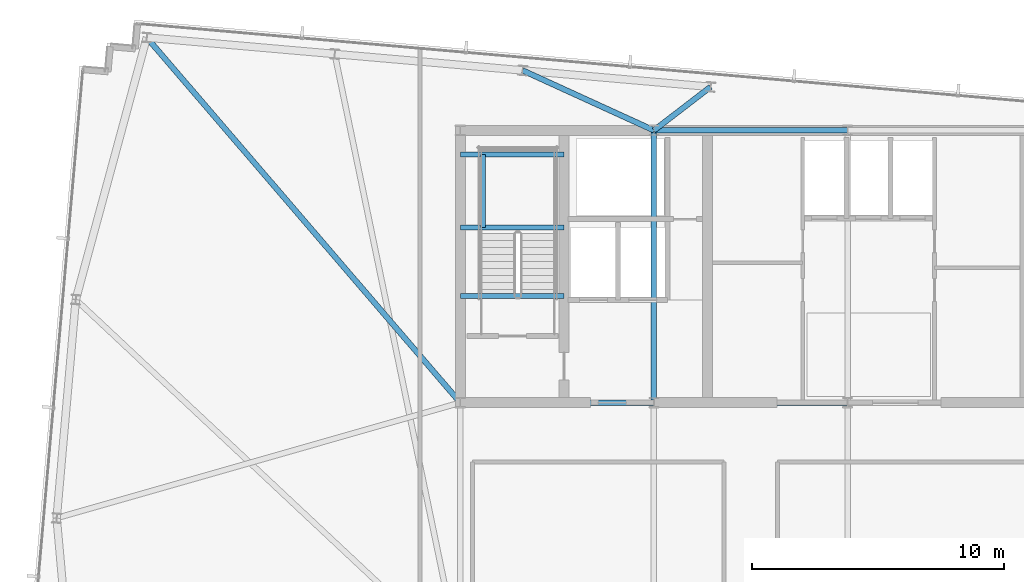
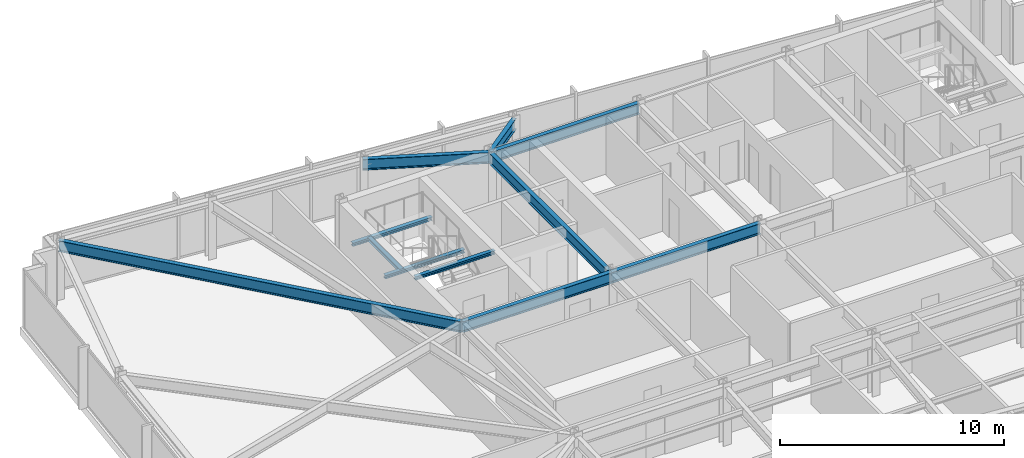
# One storey, part 12 of 32: 11 beams.
"""IFC4 building model written with IfcOpenShell, lengths in metres."""

from ifc_helpers import new_model, si_unit, direction, frame, origin, origin_2d, place, context, subcontext, project, spatial, i_section, extrude, material, material_profile, profile_set, type_object, element, save


model = new_model("IFC4")

# Units and contexts
model_context = context("Model", 3, precision=1e-05, world=origin(), true_north=direction((0.0, 1.0)))
body_context = subcontext(model_context, "Body", "Model", "MODEL_VIEW")
ifc_project = project(units=[si_unit("LENGTHUNIT", "METRE"), si_unit("AREAUNIT", "SQUARE_METRE"), si_unit("VOLUMEUNIT", "CUBIC_METRE"), si_unit("PLANEANGLEUNIT", "RADIAN"), si_unit("MASSUNIT", "GRAM", prefix="KILO")], contexts=[model_context])

# Site, building, storey
site_placement = place(None, origin())
site = spatial("IfcSite", under=ifc_project, at=site_placement, CompositionType="ELEMENT")
building_placement = place(site_placement, origin())
building = spatial("IfcBuilding", under=site, at=building_placement, Name="Yelkora Congress Tower", CompositionType="ELEMENT")
storey_placement = place(building_placement, frame((0.0, 0.0, 259.10009765625)))
storey = spatial("IfcBuildingStorey", under=building, at=storey_placement, Name="L72", CompositionType="ELEMENT", Elevation=259.10009765625)

# Beams
ifc_material = material(Name="Steel S355J2", Category="steel")
ifc_material_profile_1 = material_profile(ifc_material, i_section(OverallWidth=0.219970703125, OverallDepth=0.60009765625, WebThickness=0.011962890625, FlangeThickness=0.01904296875, FilletRadius=0.02392578125, at=origin_2d()), Name="IPE 600")
ifc_profile_set_1 = profile_set([ifc_material_profile_1], Name="Steel S355J2")
beam_type_1 = type_object("IfcBeamType", Name="BM-GIRD-IPE600", PredefinedType="BEAM", material=ifc_profile_set_1)
for number, where, z_axis, x_axis, name in (
    (1, (30.719970703125, 46.199951171875, 2.8798828125), (1.0, 0.0, 0.0), (0.0, 1.0, 0.0), "L72 Core North Girder 2"),
    (2, (23.0400390625, 35.39990234375, 2.8798828125), (1.0, 0.0, 0.0), (0.0, 1.0, 0.0), "L72 Core South Girder 1"),
    (3, (30.719970703125, 35.39990234375, 2.8798828125), (1.0, 0.0, 0.0), (0.0, 1.0, 0.0), "L72 Core South Girder 2"),
):
    element("IfcBeam", number, at=place(storey_placement, frame(where, z_axis=z_axis, x_axis=x_axis)), inside=storey, type_object=beam_type_1, Name=name, PredefinedType="BEAM", context=body_context, shape_type="SweptSolid", body=[
        extrude(i_section(OverallWidth=0.219970703125, OverallDepth=0.60009765625, WebThickness=0.011962890625, FlangeThickness=0.01904296875, FilletRadius=0.02392578125, at=origin_2d()), origin(), (0.0, 0.0, 1.0), 7.679931640625),
    ])
beam_1_placement = place(storey_placement, frame((30.719970703125, 35.39990234375, 2.8798828125), z_axis=(0.0, 1.0, 0.0), x_axis=(-1.0, 0.0, 0.0)))
element("IfcBeam", 4, at=beam_1_placement, inside=storey, type_object=beam_type_1, Name="L72 Core Tie Girder MC-S2", PredefinedType="BEAM", context=body_context, shape_type="SweptSolid", body=[
    extrude(i_section(OverallWidth=0.219970703125, OverallDepth=0.60009765625, WebThickness=0.011962890625, FlangeThickness=0.01904296875, FilletRadius=0.02392578125, at=origin_2d()), origin(), (0.0, 0.0, 1.0), 10.800048828125),
])
beam_2_placement = place(storey_placement, frame((10.60400390625, 49.884033203125, 2.8798828125), z_axis=(0.651427266579, -0.758711088859, 0.0), x_axis=(0.758711088859, 0.651427266579, 0.0)))
element("IfcBeam", 5, at=beam_2_placement, inside=storey, type_object=beam_type_1, Name="L72 Primary Frame Girder N01", PredefinedType="BEAM", context=body_context, shape_type="SweptSolid", body=[
    extrude(i_section(OverallWidth=0.219970703125, OverallDepth=0.60009765625, WebThickness=0.011962890625, FlangeThickness=0.01904296875, FilletRadius=0.02392578125, at=origin_2d()), origin(), (0.0, 0.0, 1.0), 19.09033203125),
])
beam_3_placement = place(storey_placement, frame((25.513916015625, 48.57958984375, 2.8798828125), z_axis=(0.909492445228, -0.415720449429, 0.0), x_axis=(0.415720449429, 0.909492445228, 0.0)))
element("IfcBeam", 6, at=beam_3_placement, inside=storey, type_object=beam_type_1, Name="L72 Primary Frame Girder N03", PredefinedType="BEAM", context=body_context, shape_type="SweptSolid", body=[
    extrude(i_section(OverallWidth=0.219970703125, OverallDepth=0.60009765625, WebThickness=0.011962890625, FlangeThickness=0.01904296875, FilletRadius=0.02392578125, at=origin_2d()), origin(), (0.0, 0.0, 1.0), 5.72412109375),
])
beam_4_placement = place(storey_placement, frame((32.968505859375, 47.927490234375, 2.8798828125), z_axis=(-0.792982335977, -0.609244626425, 0.0), x_axis=(0.609244626425, -0.792982335977, 0.0)))
element("IfcBeam", 7, at=beam_4_placement, inside=storey, type_object=beam_type_1, Name="L72 Primary Frame Girder N04", PredefinedType="BEAM", context=body_context, shape_type="SweptSolid", body=[
    extrude(i_section(OverallWidth=0.219970703125, OverallDepth=0.60009765625, WebThickness=0.011962890625, FlangeThickness=0.01904296875, FilletRadius=0.02392578125, at=origin_2d()), origin(), (0.0, 0.0, 1.0), 2.83544921875),
])
ifc_material_profile_2 = material_profile(ifc_material, i_section(OverallWidth=0.199951171875, OverallDepth=0.18994140625, WebThickness=0.006591796875, FlangeThickness=0.010009765625, FilletRadius=0.01806640625, at=origin_2d()), Name="HEA 200")
ifc_profile_set_2 = profile_set([ifc_material_profile_2], Name="Steel S355J2")
beam_type_2 = type_object("IfcBeamType", Name="BM-LAND-HEA200", PredefinedType="BEAM", material=ifc_profile_set_2)
for number, where, z_axis, x_axis, name in (
    (8, (23.0400390625, 42.340087890625, 1.384521484375), (1.0, 0.0, 0.0), (0.0, 1.0, 0.0), "ST-01 L72 Landing Header Beam 1S"),
    (9, (23.0400390625, 45.25, 1.384521484375), (1.0, 0.0, 0.0), (0.0, 1.0, 0.0), "ST-01 L72 Landing Header Beam 1N"),
):
    element("IfcBeam", number, at=place(storey_placement, frame(where, z_axis=z_axis, x_axis=x_axis)), inside=storey, type_object=beam_type_2, Name=name, PredefinedType="BEAM", context=body_context, shape_type="SweptSolid", body=[
        extrude(i_section(OverallWidth=0.199951171875, OverallDepth=0.18994140625, WebThickness=0.006591796875, FlangeThickness=0.010009765625, FilletRadius=0.01806640625, at=origin_2d()), origin(), (0.0, 0.0, 1.0), 4.10986328125),
    ])
beam_5_placement = place(storey_placement, frame((23.93994140625, 42.340087890625, 1.384521484375), z_axis=(0.0, 1.0, 0.0), x_axis=(-1.0, 0.0, 0.0)))
element("IfcBeam", 10, at=beam_5_placement, inside=storey, type_object=beam_type_2, Name="ST-01 L72 Landing Trimmer Beam 1M", PredefinedType="BEAM", context=body_context, shape_type="SweptSolid", body=[
    extrude(i_section(OverallWidth=0.199951171875, OverallDepth=0.18994140625, WebThickness=0.006591796875, FlangeThickness=0.010009765625, FilletRadius=0.01806640625, at=origin_2d()), origin(), (0.0, 0.0, 1.0), 2.909912109375),
])
beam_6_placement = place(storey_placement, frame((23.0400390625, 39.639892578125, 2.947265625), z_axis=(1.0, 0.0, 0.0), x_axis=(0.0, 1.0, 0.0)))
element("IfcBeam", 11, at=beam_6_placement, inside=storey, type_object=beam_type_2, Name="ST-01 L72 Floor Arrival Stringer Header Beam", PredefinedType="BEAM", context=body_context, shape_type="SweptSolid", body=[
    extrude(i_section(OverallWidth=0.199951171875, OverallDepth=0.18994140625, WebThickness=0.006591796875, FlangeThickness=0.010009765625, FilletRadius=0.01806640625, at=origin_2d()), origin(), (0.0, 0.0, 1.0), 4.10986328125),
])

save(model, "model.ifc")
